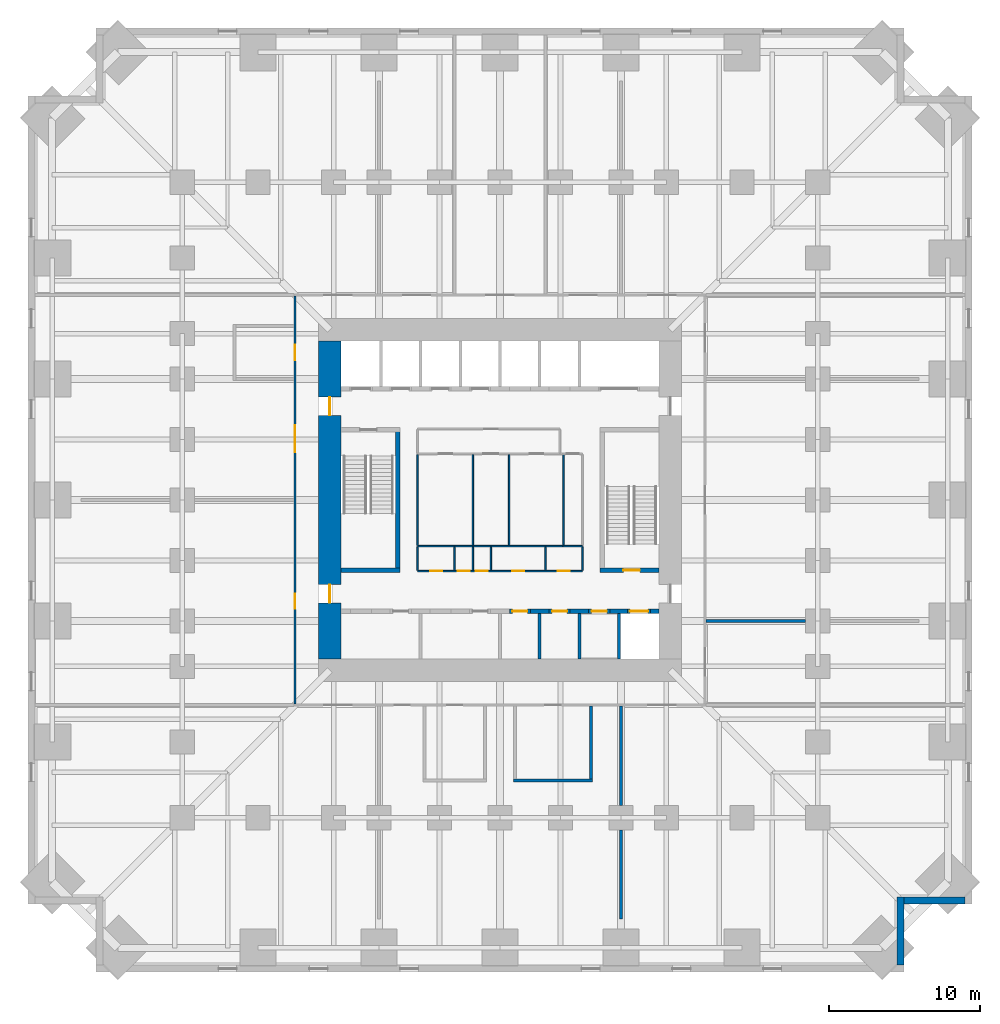
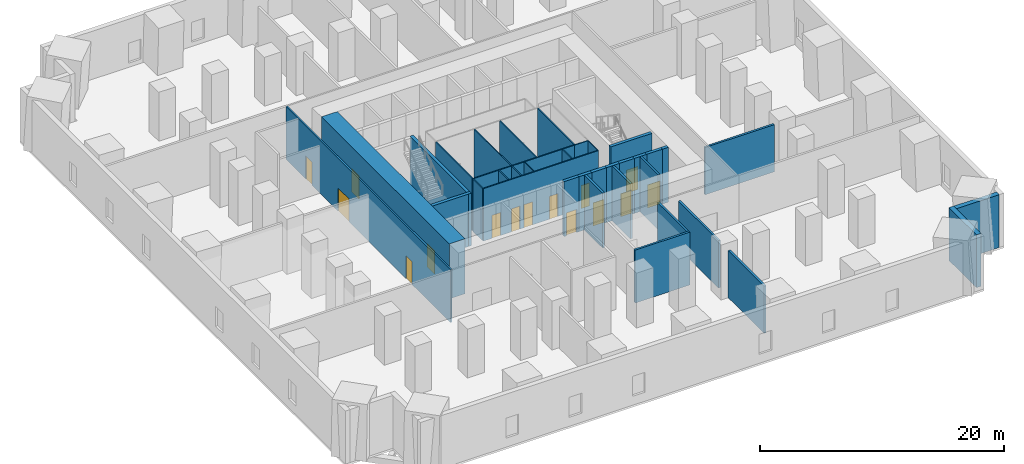
# One storey, part 4 of 8: 36 walls, 15 doors, 15 openings.
"""IFC4 building model written with IfcOpenShell, lengths in metres."""

import ifcopenshell
import ifcopenshell.guid

model = None  # the IFC model being written
_history = None  # IfcOwnerHistory: only IFC2X3 demands one
_inside = {}  # id of a spatial element -> (the spatial element, [elements in it])
_under = {}  # id of a project, library or spatial element -> (it, [spatial elements below it])
_declared = {}  # id of a project -> (the project, [libraries it declares])
_typed = {}  # id of a type object -> (the type object, [elements of that type])
_made_of = {}  # id of a material, layer set ... -> (it, [elements and type objects made of it])


def new_model(schema):
    """Start an empty IFC model of exactly this schema.

    Asked for "IFC4X3", IfcOpenShell would pick the latest addendum, in which some entities
    have other attributes; the version numbers below select the first issue.
    IFC2X3 requires an IfcOwnerHistory on every rooted entity: one is made here for all.
    """
    global model, _history
    if schema == "IFC4X3":
        model = ifcopenshell.file(schema_version=(4, 3, 0, 0))
    else:
        model = ifcopenshell.file(schema=schema)
    _inside.clear()
    _under.clear()
    _declared.clear()
    _typed.clear()
    _made_of.clear()
    _history = None
    if model.schema == "IFC2X3":
        org = make("IfcOrganization", Name="unknown")
        user = make(
            "IfcPersonAndOrganization",
            ThePerson=make("IfcPerson", FamilyName="unknown"),
            TheOrganization=org,
        )
        app = make(
            "IfcApplication",
            ApplicationDeveloper=org,
            Version="unknown",
            ApplicationFullName="unknown",
            ApplicationIdentifier="unknown",
        )
        _history = make(
            "IfcOwnerHistory",
            OwningUser=user,
            OwningApplication=app,
            ChangeAction="ADDED",
            CreationDate=0,
        )
    return model


def make(cls, **values):
    """One entity of the class cls with the attributes given. An attribute that is None is left unset."""
    return model.create_entity(
        cls, **{name: value for name, value in values.items() if value is not None}
    )


def rooted(cls, **values):
    """An entity with a GlobalId (a new one), such as an element, a storey or a relation."""
    return make(cls, GlobalId=ifcopenshell.guid.new(), OwnerHistory=_history, **values)


def si_unit(unit_type, name, prefix=None):
    """IfcSIUnit, for example si_unit("LENGTHUNIT", "METRE", prefix="MILLI")."""
    return make("IfcSIUnit", UnitType=unit_type, Prefix=prefix, Name=name)


def assignment(units):
    """IfcUnitAssignment: the units of a project."""
    return None if units is None else make("IfcUnitAssignment", Units=units)


def point(xyz):
    """IfcCartesianPoint."""
    return None if xyz is None else make("IfcCartesianPoint", Coordinates=xyz)


def direction(xyz):
    """IfcDirection."""
    return None if xyz is None else make("IfcDirection", DirectionRatios=xyz)


def frame(location, z_axis=None, x_axis=None):
    """IfcAxis2Placement3D, a coordinate frame: its origin and axes. An axis left out is left unset."""
    return make(
        "IfcAxis2Placement3D",
        Location=point(location),
        Axis=direction(z_axis),
        RefDirection=direction(x_axis),
    )


def frame_2d(location, x_axis=None):
    """IfcAxis2Placement2D, a coordinate frame in the plane: its origin and x axis."""
    return make(
        "IfcAxis2Placement2D", Location=point(location), RefDirection=direction(x_axis)
    )


def origin():
    """The frame at (0, 0, 0) with its axes left unset."""
    return frame((0.0, 0.0, 0.0))


def place(relative_to, where):
    """IfcLocalPlacement: puts the frame where relative to a parent placement (None: the world)."""
    return make(
        "IfcLocalPlacement", PlacementRelTo=relative_to, RelativePlacement=where
    )


def context(
    kind, dimensions, precision=None, world=None, true_north=None, identifier=None
):
    """IfcGeometricRepresentationContext, for example the 3D "Model" context."""
    return make(
        "IfcGeometricRepresentationContext",
        ContextIdentifier=identifier,
        ContextType=kind,
        CoordinateSpaceDimension=dimensions,
        Precision=precision,
        WorldCoordinateSystem=world,
        TrueNorth=true_north,
    )


def subcontext(parent, identifier, kind, view, scale=None):
    """IfcGeometricRepresentationSubContext, for example "Body" below "Model"."""
    return make(
        "IfcGeometricRepresentationSubContext",
        ContextIdentifier=identifier,
        ContextType=kind,
        ParentContext=parent,
        TargetScale=scale,
        TargetView=view,
    )


def project(units=None, contexts=None):
    """IfcProject with its units and contexts."""
    return rooted(
        "IfcProject",
        Name="project",
        RepresentationContexts=contexts,
        UnitsInContext=assignment(units),
    )


def spatial(cls, under=None, at=None, **own):
    """A site, building, storey or space (cls), placed at a placement, below another one or the project."""
    s = rooted(cls, ObjectPlacement=at, **own)
    if under is not None:
        _under.setdefault(under.id(), (under, []))[1].append(s)
    return s


def profile(cls, at=None, kind="AREA", **sizes):
    """A parametric profile (cls). Its sizes go by their IFC names, for example OverallWidth=200.0."""
    return make(cls, ProfileType=kind, Position=at, **sizes)


def rectangle(**sizes):
    """IfcRectangleProfileDef."""
    return profile("IfcRectangleProfileDef", **sizes)


def extrude(swept, where, along, depth):
    """IfcExtrudedAreaSolid: the profile swept, set in the frame where, extruded along a direction by depth."""
    return make(
        "IfcExtrudedAreaSolid",
        SweptArea=swept,
        Position=where,
        ExtrudedDirection=direction(along),
        Depth=depth,
    )


def shape(context_of_items, identifier, shape_type, items):
    """IfcShapeRepresentation: the items that make up one representation, for example the "Body"."""
    return make(
        "IfcShapeRepresentation",
        ContextOfItems=context_of_items,
        RepresentationIdentifier=identifier,
        RepresentationType=shape_type,
        Items=items,
    )


def material(Name=None, Category=None):
    """IfcMaterial."""
    return make("IfcMaterial", Name=Name, Category=Category)


def layer(
    of_material, thickness, ventilated=None, Name=None, Category=None, Priority=None
):
    """IfcMaterialLayer: one layer of a wall or slab, of a material (None: an air gap)."""
    return make(
        "IfcMaterialLayer",
        Material=of_material,
        LayerThickness=thickness,
        IsVentilated=ventilated,
        Name=Name,
        Category=Category,
        Priority=Priority,
    )


def layer_set(layers, Name=None):
    """IfcMaterialLayerSet."""
    return make("IfcMaterialLayerSet", MaterialLayers=layers, LayerSetName=Name)


def made_of(thing, what):
    """Note that an element or type object is made of a material, layer set ...; save() writes the relation."""
    if what is not None:
        _made_of.setdefault(what.id(), (what, []))[1].append(thing)
    return thing


def type_object(cls, material=None, **own):
    """A type object (cls), such as IfcWallType, which elements share."""
    return made_of(rooted(cls, **own), material)


def element(
    cls,
    number,
    at=None,
    inside=None,
    cuts=None,
    type_object=None,
    material=None,
    context=None,
    identifier="Body",
    shape_type=None,
    held_by="IfcProductDefinitionShape",
    body=None,
    shapes=None,
    **own,
):
    """One element of the class cls, such as IfcWall. Its Tag is "e" and its number.

    at: its placement. inside: the storey or other place that contains it. cuts: it is an
    opening in that element (IfcRelVoidsElement). A single representation is given by context,
    identifier, shape_type and body (its items); several are given by shapes. held_by: the class
    of the entity that holds the representations. save() writes the other relations.
    """
    e = rooted(cls, Tag="e%d" % number, ObjectPlacement=at, **own)
    if body is not None:
        shapes = [shape(context, identifier, shape_type, body)]
    if shapes is not None:
        e.Representation = make(held_by, Representations=shapes)
    if inside is not None:
        _inside.setdefault(inside.id(), (inside, []))[1].append(e)
    if cuts is not None:
        rooted(
            "IfcRelVoidsElement", RelatingBuildingElement=cuts, RelatedOpeningElement=e
        )
    if type_object is not None:
        _typed.setdefault(type_object.id(), (type_object, []))[1].append(e)
    return made_of(e, material)


def fill(opening, filler):
    """IfcRelFillsElement: the door or window that sits in an opening."""
    return rooted(
        "IfcRelFillsElement",
        RelatingOpeningElement=opening,
        RelatedBuildingElement=filler,
    )


def aggregate(whole, parts):
    """IfcRelAggregates: a whole, such as a stair, and the parts it consists of."""
    return rooted("IfcRelAggregates", RelatingObject=whole, RelatedObjects=parts)


def save(model, path):
    """Write the relations noted so far, then the file.

    IfcRelAggregates (storeys below a building ...), IfcRelContainedInSpatialStructure (elements
    in a storey), IfcRelDefinesByType, IfcRelAssociatesMaterial and IfcRelDeclares: one each for
    every whole, place, type object, material and project.
    """
    for whole, parts in _under.values():
        aggregate(whole, parts)
    for where, things in _inside.values():
        rooted(
            "IfcRelContainedInSpatialStructure",
            RelatedElements=things,
            RelatingStructure=where,
        )
    for kind, things in _typed.values():
        rooted("IfcRelDefinesByType", RelatedObjects=things, RelatingType=kind)
    for what, things in _made_of.values():
        rooted("IfcRelAssociatesMaterial", RelatedObjects=things, RelatingMaterial=what)
    for by, libraries in _declared.values():
        rooted("IfcRelDeclares", RelatingContext=by, RelatedDefinitions=libraries)
    model.write(path)


model = new_model("IFC4")

# Units and contexts
model_context = context("Model", 3, precision=1e-05, world=origin(), true_north=direction((0.0, 1.0)))
body_context = subcontext(model_context, "Body", "Model", "MODEL_VIEW")
ifc_project = project(units=[si_unit("LENGTHUNIT", "METRE"), si_unit("AREAUNIT", "SQUARE_METRE"), si_unit("VOLUMEUNIT", "CUBIC_METRE"), si_unit("PLANEANGLEUNIT", "RADIAN"), si_unit("MASSUNIT", "GRAM", prefix="KILO")], contexts=[model_context])

# Site, building, storey
site_placement = place(None, origin())
site = spatial("IfcSite", under=ifc_project, at=site_placement, CompositionType="ELEMENT")
building_placement = place(site_placement, origin())
building = spatial("IfcBuilding", under=site, at=building_placement, Name="Peilmerk Tower", CompositionType="ELEMENT")
storey_placement = place(building_placement, frame((0.0, 0.0, 32.0)))
storey = spatial("IfcBuildingStorey", under=building, at=storey_placement, Name="L06", CompositionType="ELEMENT", Elevation=32.0)

# Walls
ifc_material_1 = material(Name="Precast concrete C45/55, board-marked finish", Category="concrete")
ifc_layer_1 = layer(ifc_material_1, 0.449951171875)
ifc_layer_set_1 = layer_set([ifc_layer_1], Name="Precast concrete C45/55, board-marked finish")
wall_type_1 = type_object("IfcWallType", Name="EW1 450 precast concrete facade wall, board-marked", PredefinedType="SOLIDWALL", material=ifc_layer_set_1)
wall_1_placement = place(storey_placement, frame((26.47509765625, -26.25, 0.0), z_axis=(0.0, 0.0, 1.0), x_axis=(0.0, -1.0, 0.0)))
element("IfcWall", 1, at=wall_1_placement, inside=storey, type_object=wall_type_1, Name="Facade wall SEA L06", PredefinedType="SOLIDWALL", context=body_context, shape_type="SweptSolid", body=[
    extrude(rectangle(XDim=4.5, YDim=0.449951171875, at=frame_2d((2.25, 0.0))), origin(), (0.0, 0.0, 1.0), 5.300048828125),
])
wall_2_placement = place(storey_placement, frame((26.699951171875, -26.47509765625, 0.0), z_axis=(0.0, 0.0, 1.0), x_axis=(1.0, 0.0, 0.0)))
element("IfcWall", 2, at=wall_2_placement, inside=storey, type_object=wall_type_1, Name="Facade wall SEB L06", PredefinedType="SOLIDWALL", context=body_context, shape_type="SweptSolid", body=[
    extrude(rectangle(XDim=4.050048828125, YDim=0.449951171875, at=frame_2d((2.02490234375, 0.0))), origin(), (0.0, 0.0, 1.0), 5.300048828125),
])

# Wall, openings, doors
ifc_material_2 = material(Name="Calcium silicate block", Category="masonry")
ifc_layer_2 = layer(ifc_material_2, 0.14990234375)
ifc_layer_set_2 = layer_set([ifc_layer_2], Name="Calcium silicate block")
wall_type_2 = type_object("IfcWallType", Name="IW1 150 corridor partition, EI 60", PredefinedType="PARTITIONING", material=ifc_layer_set_2)
wall_3_placement = place(storey_placement, frame((-13.550048828125, 13.47509765625, 0.0), z_axis=(0.0, 0.0, 1.0), x_axis=(0.0, -1.0, 0.0)))
wall_3 = element("IfcWall", 3, at=wall_3_placement, inside=storey, type_object=wall_type_2, Name="Corridor wall W L06", PredefinedType="PARTITIONING", context=body_context, shape_type="SweptSolid", body=[
    extrude(rectangle(XDim=26.9501953125, YDim=0.14990234375, at=frame_2d((13.47509765625, 0.0))), origin(), (0.0, 0.0, 1.0), 5.300048828125),
])
opening_1_placement = place(wall_3_placement, frame((19.675048828125, 0.0, 0.0)))
opening_1 = element("IfcOpeningElement", 4, at=opening_1_placement, cuts=wall_3, Name="Opening D1", PredefinedType="OPENING", context=body_context, shape_type="SweptSolid", body=[
    extrude(rectangle(XDim=1.0, YDim=2.300048828125, at=frame_2d((0.5, 1.14990234375))), frame((0.0, 0.0849609375, 0.0), z_axis=(0.0, -1.0, 0.0), x_axis=(1.0, 0.0, 0.0)), (0.0, 0.0, 1.0), 0.169921875),
])
opening_2_placement = place(wall_3_placement, frame((8.52490234375, 0.0, 0.0)))
opening_2 = element("IfcOpeningElement", 5, at=opening_2_placement, cuts=wall_3, Name="Opening D2", PredefinedType="OPENING", context=body_context, shape_type="SweptSolid", body=[
    extrude(rectangle(XDim=1.800048828125, YDim=2.300048828125, at=frame_2d((0.89990234375, 1.14990234375))), frame((0.0, 0.0849609375, 0.0), z_axis=(0.0, -1.0, 0.0), x_axis=(1.0, 0.0, 0.0)), (0.0, 0.0, 1.0), 0.169921875),
])
opening_3_placement = place(wall_3_placement, frame((3.22509765625, 0.0, 0.0)))
opening_3 = element("IfcOpeningElement", 6, at=opening_3_placement, cuts=wall_3, Name="Opening D1", PredefinedType="OPENING", context=body_context, shape_type="SweptSolid", body=[
    extrude(rectangle(XDim=1.0, YDim=2.300048828125, at=frame_2d((0.5, 1.14990234375))), frame((0.0, 0.0849609375, 0.0), z_axis=(0.0, -1.0, 0.0), x_axis=(1.0, 0.0, 0.0)), (0.0, 0.0, 1.0), 0.169921875),
])
ifc_material_3 = material(Name="Timber door in steel frame", Category="steel")
door_type_1 = type_object("IfcDoorType", Name="D1 1000x2300 room door, EI2 30", OperationType="SINGLE_SWING_LEFT", PredefinedType="DOOR", material=ifc_material_3)
door_1_placement = place(opening_1_placement, frame((1.0, 0.0, 0.0), z_axis=(0.0, 0.0, 1.0), x_axis=(-1.0, 0.0, 0.0)))
door_1 = element("IfcDoor", 7, at=door_1_placement, inside=storey, type_object=door_type_1, Name="Door LV switchboard room L06", OperationType="SINGLE_SWING_LEFT", OverallHeight=2.300048828125, OverallWidth=1.0, PredefinedType="DOOR", context=body_context, shape_type="SweptSolid", body=[
    extrude(rectangle(XDim=1.0, YDim=2.300048828125, at=frame_2d((0.5, 1.14990234375))), frame((0.0, 0.02490234375, 0.0), z_axis=(0.0, -1.0, 0.0), x_axis=(1.0, 0.0, 0.0)), (0.0, 0.0, 1.0), 0.050048828125),
])
fill(opening_1, door_1)
door_2_placement = place(opening_3_placement, frame((1.0, 0.0, 0.0), z_axis=(0.0, 0.0, 1.0), x_axis=(-1.0, 0.0, 0.0)))
door_2 = element("IfcDoor", 8, at=door_2_placement, inside=storey, type_object=door_type_1, Name="Door Store L06", OperationType="SINGLE_SWING_LEFT", OverallHeight=2.300048828125, OverallWidth=1.0, PredefinedType="DOOR", context=body_context, shape_type="SweptSolid", body=[
    extrude(rectangle(XDim=1.0, YDim=2.300048828125, at=frame_2d((0.5, 1.14990234375))), frame((0.0, 0.02490234375, 0.0), z_axis=(0.0, -1.0, 0.0), x_axis=(1.0, 0.0, 0.0)), (0.0, 0.0, 1.0), 0.050048828125),
])
fill(opening_3, door_2)
ifc_material_4 = material(Name="Steel door in steel frame", Category="steel")
door_type_2 = type_object("IfcDoorType", Name="D2 1800x2300 double door, EI2 60", OperationType="DOUBLE_DOOR_DOUBLE_SWING", PredefinedType="DOOR", material=ifc_material_4)
door_3_placement = place(opening_2_placement, frame((1.800048828125, 0.0, 0.0), z_axis=(0.0, 0.0, 1.0), x_axis=(-1.0, 0.0, 0.0)))
door_3 = element("IfcDoor", 9, at=door_3_placement, inside=storey, type_object=door_type_2, Name="Door Transformer room L06", OperationType="DOUBLE_DOOR_DOUBLE_SWING", OverallHeight=2.300048828125, OverallWidth=1.800048828125, PredefinedType="DOOR", context=body_context, shape_type="SweptSolid", body=[
    extrude(rectangle(XDim=1.800048828125, YDim=2.300048828125, at=frame_2d((0.89990234375, 1.14990234375))), frame((0.0, 0.02490234375, 0.0), z_axis=(0.0, -1.0, 0.0), x_axis=(1.0, 0.0, 0.0)), (0.0, 0.0, 1.0), 0.050048828125),
])
fill(opening_2, door_3)

# Walls
ifc_layer_3 = layer(ifc_material_2, 0.199951171875)
ifc_layer_set_3 = layer_set([ifc_layer_3], Name="Calcium silicate block")
wall_type_3 = type_object("IfcWallType", Name="IW2 200 room separating wall, EI 120", PredefinedType="PARTITIONING", material=ifc_layer_set_3)
wall_4_placement = place(storey_placement, frame((8.0, -13.625, 0.0), z_axis=(0.0, 0.0, 1.0), x_axis=(0.0, -1.0, 0.0)))
element("IfcWall", 10, at=wall_4_placement, inside=storey, type_object=wall_type_3, Name="Room separating wall S2 L06", PredefinedType="PARTITIONING", context=body_context, shape_type="SweptSolid", body=[
    extrude(rectangle(XDim=6.574951171875, YDim=0.199951171875, at=frame_2d((3.28759765625, 0.0))), origin(), (0.0, 0.0, 1.0), 4.73095703125),
])
wall_5_placement = place(storey_placement, frame((8.0, -21.800048828125, 0.0), z_axis=(0.0, 0.0, 1.0), x_axis=(0.0, -1.0, 0.0)))
element("IfcWall", 11, at=wall_5_placement, inside=storey, type_object=wall_type_3, Name="Room separating wall S2b L06", PredefinedType="PARTITIONING", context=body_context, shape_type="SweptSolid", body=[
    extrude(rectangle(XDim=5.887451171875, YDim=0.199951171875, at=frame_2d((2.94384765625, 0.0))), origin(), (0.0, 0.0, 1.0), 4.73095703125),
])
wall_6_placement = place(storey_placement, frame((13.625, -8.0, 0.0), z_axis=(0.0, 0.0, 1.0), x_axis=(1.0, 0.0, 0.0)))
element("IfcWall", 12, at=wall_6_placement, inside=storey, type_object=wall_type_3, Name="Room separating wall E1 L06", PredefinedType="PARTITIONING", context=body_context, shape_type="SweptSolid", body=[
    extrude(rectangle(XDim=6.574951171875, YDim=0.199951171875, at=frame_2d((3.28759765625, 0.0))), origin(), (0.0, 0.0, 1.0), 4.73095703125),
])
wall_7_placement = place(storey_placement, frame((0.89990234375, -18.550048828125, 0.0), z_axis=(0.0, 0.0, 1.0), x_axis=(1.0, 0.0, 0.0)))
element("IfcWall", 13, at=wall_7_placement, inside=storey, type_object=wall_type_3, Name="Room separating wall Operations office L06", PredefinedType="PARTITIONING", context=body_context, shape_type="SweptSolid", body=[
    extrude(rectangle(XDim=5.2001953125, YDim=0.199951171875, at=frame_2d((2.60009765625, 0.0))), origin(), (0.0, 0.0, 1.0), 5.300048828125),
])
wall_8_placement = place(storey_placement, frame((6.0, -13.625, 0.0), z_axis=(0.0, 0.0, 1.0), x_axis=(0.0, -1.0, 0.0)))
element("IfcWall", 14, at=wall_8_placement, inside=storey, type_object=wall_type_3, Name="Room separating wall Operations office L06", PredefinedType="PARTITIONING", context=body_context, shape_type="SweptSolid", body=[
    extrude(rectangle(XDim=4.824951171875, YDim=0.199951171875, at=frame_2d((2.41259765625, 0.0))), origin(), (0.0, 0.0, 1.0), 5.300048828125),
])
ifc_material_5 = material(Name="Concrete C35/45", Category="concrete")
ifc_layer_4 = layer(ifc_material_5, 0.300048828125)
ifc_layer_set_4 = layer_set([ifc_layer_4], Name="Concrete C35/45")
wall_type_4 = type_object("IfcWallType", Name="IW3 300 concrete stair enclosure wall, EI 120", PredefinedType="SOLIDWALL", material=ifc_layer_set_4)
wall_9_placement = place(storey_placement, frame((-6.75, -4.800048828125, 0.0), z_axis=(0.0, 0.0, 1.0), x_axis=(0.0, 1.0, 0.0)))
element("IfcWall", 15, at=wall_9_placement, inside=storey, type_object=wall_type_4, Name="Stair 1 enclosure L06", PredefinedType="SOLIDWALL", context=body_context, shape_type="SweptSolid", body=[
    extrude(rectangle(XDim=9.60009765625, YDim=0.300048828125, at=frame_2d((4.800048828125, 0.0))), origin(), (0.0, 0.0, 1.0), 5.25),
])
wall_10_placement = place(storey_placement, frame((-6.60009765625, -4.64990234375, 0.0), z_axis=(0.0, 0.0, 1.0), x_axis=(-1.0, 0.0, 0.0)))
element("IfcWall", 16, at=wall_10_placement, inside=storey, type_object=wall_type_4, Name="Stair 1 enclosure L06", PredefinedType="SOLIDWALL", context=body_context, shape_type="SweptSolid", body=[
    extrude(rectangle(XDim=3.89990234375, YDim=0.300048828125, at=frame_2d((1.949951171875, 0.0))), origin(), (0.0, 0.0, 1.0), 5.25),
])

# Wall, opening, door
wall_11_placement = place(storey_placement, frame((10.5, -4.64990234375, 0.0), z_axis=(0.0, 0.0, 1.0), x_axis=(-1.0, 0.0, 0.0)))
wall_11 = element("IfcWall", 17, at=wall_11_placement, inside=storey, type_object=wall_type_4, Name="Stair 2 enclosure L06", PredefinedType="SOLIDWALL", context=body_context, shape_type="SweptSolid", body=[
    extrude(rectangle(XDim=3.89990234375, YDim=0.300048828125, at=frame_2d((1.949951171875, 0.0))), origin(), (0.0, 0.0, 1.0), 5.25),
])
opening_4_placement = place(wall_11_placement, frame((1.25, 0.0, 0.0)))
opening_4 = element("IfcOpeningElement", 18, at=opening_4_placement, cuts=wall_11, Name="Opening D4", PredefinedType="OPENING", context=body_context, shape_type="SweptSolid", body=[
    extrude(rectangle(XDim=1.10009765625, YDim=2.300048828125, at=frame_2d((0.550048828125, 1.14990234375))), frame((0.0, 0.159912109375, 0.0), z_axis=(0.0, -1.0, 0.0), x_axis=(1.0, 0.0, 0.0)), (0.0, 0.0, 1.0), 0.320068359375),
])
door_type_3 = type_object("IfcDoorType", Name="D4 1100x2300 stair door, EI2 60", OperationType="SINGLE_SWING_RIGHT", PredefinedType="DOOR", material=ifc_material_4)
door_4_placement = place(opening_4_placement, frame((1.10009765625, 0.0, 0.0), z_axis=(0.0, 0.0, 1.0), x_axis=(-1.0, 0.0, 0.0)))
door_4 = element("IfcDoor", 19, at=door_4_placement, inside=storey, type_object=door_type_3, Name="Stair 2 door L06", OperationType="SINGLE_SWING_RIGHT", OverallHeight=2.300048828125, OverallWidth=1.10009765625, PredefinedType="DOOR", context=body_context, shape_type="SweptSolid", body=[
    extrude(rectangle(XDim=1.10009765625, YDim=2.300048828125, at=frame_2d((0.550048828125, 1.14990234375))), frame((0.0, 0.02490234375, 0.0), z_axis=(0.0, -1.0, 0.0), x_axis=(1.0, 0.0, 0.0)), (0.0, 0.0, 1.0), 0.050048828125),
])
fill(opening_4, door_4)

# Walls
ifc_material_6 = material(Name="Plasterboard on steel studs", Category="steel")
ifc_layer_5 = layer(ifc_material_6, 0.10009765625)
ifc_layer_set_5 = layer_set([ifc_layer_5], Name="Plasterboard on steel studs")
wall_type_5 = type_object("IfcWallType", Name="IW4 100 WC partition", PredefinedType="PARTITIONING", material=ifc_layer_set_5)
wall_12_placement = place(storey_placement, frame((4.14990234375, -3.050048828125, 0.0), z_axis=(0.0, 0.0, 1.0), x_axis=(-1.0, 0.0, 0.0)))
element("IfcWall", 20, at=wall_12_placement, inside=storey, type_object=wall_type_5, Name="WC wall L06", PredefinedType="PARTITIONING", context=body_context, shape_type="SweptSolid", body=[
    extrude(rectangle(XDim=9.599853515625, YDim=0.10009765625, at=frame_2d((4.7998046875, 0.0))), origin(), (0.0, 0.0, 1.0), 5.25),
])
for number, where, z_axis, x_axis, name in (
    (21, (-5.449951171875, -3.0, 0.0), (0.0, 0.0, 1.0), (0.0, 1.0, 0.0), "WC wall L06"),
    (22, (-1.800048828125, -3.0, 0.0), (0.0, 0.0, 1.0), (0.0, 1.0, 0.0), "WC wall L06"),
    (23, (0.60009765625, -3.0, 0.0), (0.0, 0.0, 1.0), (0.0, 1.0, 0.0), "WC wall L06"),
):
    element("IfcWall", number, at=place(storey_placement, frame(where, z_axis=z_axis, x_axis=x_axis)), inside=storey, type_object=wall_type_5, Name=name, PredefinedType="PARTITIONING", context=body_context, shape_type="SweptSolid", body=[
        extrude(rectangle(XDim=6.0, YDim=0.10009765625, at=frame_2d((3.0, 0.0))), origin(), (0.0, 0.0, 1.0), 5.25),
    ])
ifc_material_7 = material(Name="Calcium silicate board on steel studs", Category="steel")
ifc_layer_6 = layer(ifc_material_7, 0.10009765625)
ifc_layer_set_6 = layer_set([ifc_layer_6], Name="Calcium silicate board on steel studs")
wall_type_6 = type_object("IfcWallType", Name="IW5 100 riser enclosure wall, EI 60", PredefinedType="PARTITIONING", material=ifc_layer_set_6)
wall_13_placement = place(storey_placement, frame((5.449951171875, -3.050048828125, 0.0), z_axis=(0.0, 0.0, 1.0), x_axis=(-1.0, 0.0, 0.0)))
element("IfcWall", 24, at=wall_13_placement, inside=storey, type_object=wall_type_6, Name="Riser wall L06", PredefinedType="PARTITIONING", context=body_context, shape_type="SweptSolid", body=[
    extrude(rectangle(XDim=1.300048828125, YDim=0.10009765625, at=frame_2d((0.64990234375, 0.0))), origin(), (0.0, 0.0, 1.0), 5.25),
])
wall_14_placement = place(storey_placement, frame((4.199951171875, -3.0, 0.0), z_axis=(0.0, 0.0, 1.0), x_axis=(0.0, 1.0, 0.0)))
element("IfcWall", 25, at=wall_14_placement, inside=storey, type_object=wall_type_6, Name="Riser wall L06", PredefinedType="PARTITIONING", context=body_context, shape_type="SweptSolid", body=[
    extrude(rectangle(XDim=6.0, YDim=0.10009765625, at=frame_2d((3.0, 0.0))), origin(), (0.0, 0.0, 1.0), 5.25),
])

# Wall, openings, doors
wall_15_placement = place(storey_placement, frame((5.449951171875, -4.699951171875, 0.0), z_axis=(0.0, 0.0, 1.0), x_axis=(-1.0, 0.0, 0.0)))
wall_15 = element("IfcWall", 26, at=wall_15_placement, inside=storey, type_object=wall_type_6, Name="Riser wall L06", PredefinedType="PARTITIONING", context=body_context, shape_type="SweptSolid", body=[
    extrude(rectangle(XDim=10.89990234375, YDim=0.10009765625, at=frame_2d((5.449951171875, 0.0))), origin(), (0.0, 0.0, 1.0), 5.25),
])
opening_5_placement = place(wall_15_placement, frame((9.27490234375, 0.0, 0.0)))
opening_5 = element("IfcOpeningElement", 27, at=opening_5_placement, cuts=wall_15, Name="Opening D7", PredefinedType="OPENING", context=body_context, shape_type="SweptSolid", body=[
    extrude(rectangle(XDim=0.800048828125, YDim=2.300048828125, at=frame_2d((0.39990234375, 1.14990234375))), frame((0.0, 0.06005859375, 0.0), z_axis=(0.0, -1.0, 0.0), x_axis=(1.0, 0.0, 0.0)), (0.0, 0.0, 1.0), 0.1201171875),
])
opening_6_placement = place(wall_15_placement, frame((7.449951171875, 0.0, 0.0)))
opening_6 = element("IfcOpeningElement", 28, at=opening_6_placement, cuts=wall_15, Name="Opening D7", PredefinedType="OPENING", context=body_context, shape_type="SweptSolid", body=[
    extrude(rectangle(XDim=0.800048828125, YDim=2.300048828125, at=frame_2d((0.39990234375, 1.14990234375))), frame((0.0, 0.06005859375, 0.0), z_axis=(0.0, -1.0, 0.0), x_axis=(1.0, 0.0, 0.0)), (0.0, 0.0, 1.0), 0.1201171875),
])
opening_7_placement = place(wall_15_placement, frame((6.25, 0.0, 0.0)))
opening_7 = element("IfcOpeningElement", 29, at=opening_7_placement, cuts=wall_15, Name="Opening D7", PredefinedType="OPENING", context=body_context, shape_type="SweptSolid", body=[
    extrude(rectangle(XDim=0.800048828125, YDim=2.300048828125, at=frame_2d((0.39990234375, 1.14990234375))), frame((0.0, 0.06005859375, 0.0), z_axis=(0.0, -1.0, 0.0), x_axis=(1.0, 0.0, 0.0)), (0.0, 0.0, 1.0), 0.1201171875),
])
opening_8_placement = place(wall_15_placement, frame((3.85009765625, 0.0, 0.0)))
opening_8 = element("IfcOpeningElement", 30, at=opening_8_placement, cuts=wall_15, Name="Opening D7", PredefinedType="OPENING", context=body_context, shape_type="SweptSolid", body=[
    extrude(rectangle(XDim=0.800048828125, YDim=2.300048828125, at=frame_2d((0.39990234375, 1.14990234375))), frame((0.0, 0.06005859375, 0.0), z_axis=(0.0, -1.0, 0.0), x_axis=(1.0, 0.0, 0.0)), (0.0, 0.0, 1.0), 0.1201171875),
])
opening_9_placement = place(wall_15_placement, frame((0.824951171875, 0.0, 0.0)))
opening_9 = element("IfcOpeningElement", 31, at=opening_9_placement, cuts=wall_15, Name="Opening D7", PredefinedType="OPENING", context=body_context, shape_type="SweptSolid", body=[
    extrude(rectangle(XDim=0.800048828125, YDim=2.300048828125, at=frame_2d((0.39990234375, 1.14990234375))), frame((0.0, 0.06005859375, 0.0), z_axis=(0.0, -1.0, 0.0), x_axis=(1.0, 0.0, 0.0)), (0.0, 0.0, 1.0), 0.1201171875),
])
door_type_4 = type_object("IfcDoorType", Name="D7 800x2300 riser access door, EI2 60", OperationType="SINGLE_SWING_RIGHT", PredefinedType="DOOR", material=ifc_material_4)
door_5_placement = place(opening_5_placement, frame((0.800048828125, 0.0, 0.0), z_axis=(0.0, 0.0, 1.0), x_axis=(-1.0, 0.0, 0.0)))
door_5 = element("IfcDoor", 32, at=door_5_placement, inside=storey, type_object=door_type_4, Name="Cleaner's cupboard door L06", OperationType="SINGLE_SWING_RIGHT", OverallHeight=2.300048828125, OverallWidth=0.800048828125, PredefinedType="DOOR", context=body_context, shape_type="SweptSolid", body=[
    extrude(rectangle(XDim=0.800048828125, YDim=2.300048828125, at=frame_2d((0.39990234375, 1.14990234375))), frame((0.0, 0.02490234375, 0.0), z_axis=(0.0, -1.0, 0.0), x_axis=(1.0, 0.0, 0.0)), (0.0, 0.0, 1.0), 0.050048828125),
])
fill(opening_5, door_5)
door_6_placement = place(opening_6_placement, frame((0.800048828125, 0.0, 0.0), z_axis=(0.0, 0.0, 1.0), x_axis=(-1.0, 0.0, 0.0)))
door_6 = element("IfcDoor", 33, at=door_6_placement, inside=storey, type_object=door_type_4, Name="Electrical riser door L06", OperationType="SINGLE_SWING_RIGHT", OverallHeight=2.300048828125, OverallWidth=0.800048828125, PredefinedType="DOOR", context=body_context, shape_type="SweptSolid", body=[
    extrude(rectangle(XDim=0.800048828125, YDim=2.300048828125, at=frame_2d((0.39990234375, 1.14990234375))), frame((0.0, 0.02490234375, 0.0), z_axis=(0.0, -1.0, 0.0), x_axis=(1.0, 0.0, 0.0)), (0.0, 0.0, 1.0), 0.050048828125),
])
fill(opening_6, door_6)
door_7_placement = place(opening_7_placement, frame((0.800048828125, 0.0, 0.0), z_axis=(0.0, 0.0, 1.0), x_axis=(-1.0, 0.0, 0.0)))
door_7 = element("IfcDoor", 34, at=door_7_placement, inside=storey, type_object=door_type_4, Name="Data riser door L06", OperationType="SINGLE_SWING_RIGHT", OverallHeight=2.300048828125, OverallWidth=0.800048828125, PredefinedType="DOOR", context=body_context, shape_type="SweptSolid", body=[
    extrude(rectangle(XDim=0.800048828125, YDim=2.300048828125, at=frame_2d((0.39990234375, 1.14990234375))), frame((0.0, 0.02490234375, 0.0), z_axis=(0.0, -1.0, 0.0), x_axis=(1.0, 0.0, 0.0)), (0.0, 0.0, 1.0), 0.050048828125),
])
fill(opening_7, door_7)
door_8_placement = place(opening_8_placement, frame((0.800048828125, 0.0, 0.0), z_axis=(0.0, 0.0, 1.0), x_axis=(-1.0, 0.0, 0.0)))
door_8 = element("IfcDoor", 35, at=door_8_placement, inside=storey, type_object=door_type_4, Name="Comms room door L06", OperationType="SINGLE_SWING_RIGHT", OverallHeight=2.300048828125, OverallWidth=0.800048828125, PredefinedType="DOOR", context=body_context, shape_type="SweptSolid", body=[
    extrude(rectangle(XDim=0.800048828125, YDim=2.300048828125, at=frame_2d((0.39990234375, 1.14990234375))), frame((0.0, 0.02490234375, 0.0), z_axis=(0.0, -1.0, 0.0), x_axis=(1.0, 0.0, 0.0)), (0.0, 0.0, 1.0), 0.050048828125),
])
fill(opening_8, door_8)
door_9_placement = place(opening_9_placement, frame((0.800048828125, 0.0, 0.0), z_axis=(0.0, 0.0, 1.0), x_axis=(-1.0, 0.0, 0.0)))
door_9 = element("IfcDoor", 36, at=door_9_placement, inside=storey, type_object=door_type_4, Name="Water meter room door L06", OperationType="SINGLE_SWING_RIGHT", OverallHeight=2.300048828125, OverallWidth=0.800048828125, PredefinedType="DOOR", context=body_context, shape_type="SweptSolid", body=[
    extrude(rectangle(XDim=0.800048828125, YDim=2.300048828125, at=frame_2d((0.39990234375, 1.14990234375))), frame((0.0, 0.02490234375, 0.0), z_axis=(0.0, -1.0, 0.0), x_axis=(1.0, 0.0, 0.0)), (0.0, 0.0, 1.0), 0.050048828125),
])
fill(opening_9, door_9)

# Walls
for number, where, z_axis, x_axis, name in (
    (37, (-5.449951171875, -3.10009765625, 0.0), (0.0, 0.0, 1.0), (0.0, -1.0, 0.0), "Riser wall L06"),
    (38, (5.449951171875, -3.10009765625, 0.0), (0.0, 0.0, 1.0), (0.0, -1.0, 0.0), "Riser wall L06"),
    (39, (-3.0, -3.10009765625, 0.0), (0.0, 0.0, 1.0), (0.0, -1.0, 0.0), "Riser wall L06"),
    (40, (-1.800048828125, -3.10009765625, 0.0), (0.0, 0.0, 1.0), (0.0, -1.0, 0.0), "Riser wall L06"),
    (41, (-0.60009765625, -3.10009765625, 0.0), (0.0, 0.0, 1.0), (0.0, -1.0, 0.0), "Riser wall L06"),
    (42, (3.0, -3.10009765625, 0.0), (0.0, 0.0, 1.0), (0.0, -1.0, 0.0), "Riser wall L06"),
):
    element("IfcWall", number, at=place(storey_placement, frame(where, z_axis=z_axis, x_axis=x_axis)), inside=storey, type_object=wall_type_6, Name=name, PredefinedType="PARTITIONING", context=body_context, shape_type="SweptSolid", body=[
        extrude(rectangle(XDim=1.5498046875, YDim=0.10009765625, at=frame_2d((0.77490234375, 0.0))), origin(), (0.0, 0.0, 1.0), 5.25),
    ])
ifc_layer_7 = layer(ifc_material_2, 0.199951171875)
ifc_layer_set_7 = layer_set([ifc_layer_7], Name="Calcium silicate block")
wall_type_7 = type_object("IfcWallType", Name="SH1 200 shaft dividing wall, EI 120", PredefinedType="PARTITIONING", material=ifc_layer_set_7)
for number, where, z_axis, x_axis, name in (
    (43, (2.625, -10.5, 0.0), (0.0, 0.0, 1.0), (0.0, 1.0, 0.0), "Shaft wall S B3 L06"),
    (44, (5.25, -10.5, 0.0), (0.0, 0.0, 1.0), (0.0, 1.0, 0.0), "Shaft wall S B2 L06"),
    (45, (7.875, -10.5, 0.0), (0.0, 0.0, 1.0), (0.0, 1.0, 0.0), "Shaft wall S B1 L06"),
):
    element("IfcWall", number, at=place(storey_placement, frame(where, z_axis=z_axis, x_axis=x_axis)), inside=storey, type_object=wall_type_7, Name=name, PredefinedType="PARTITIONING", context=body_context, shape_type="SweptSolid", body=[
        extrude(rectangle(XDim=3.0, YDim=0.199951171875, at=frame_2d((1.5, 0.0))), origin(), (0.0, 0.0, 1.0), 5.5),
    ])

# Wall, opening, door
ifc_layer_8 = layer(ifc_material_2, 0.300048828125)
ifc_layer_set_8 = layer_set([ifc_layer_8], Name="Calcium silicate block")
wall_type_8 = type_object("IfcWallType", Name="SH2 300 lift landing door panel, EI 120", PredefinedType="PARTITIONING", material=ifc_layer_set_8)
wall_16_placement = place(storey_placement, frame((0.612548828125, -7.35009765625, 0.0), z_axis=(0.0, 0.0, 1.0), x_axis=(1.0, 0.0, 0.0)))
wall_16 = element("IfcWall", 46, at=wall_16_placement, inside=storey, type_object=wall_type_8, Name="Lift door panel S B3 L06", PredefinedType="PARTITIONING", context=body_context, shape_type="SweptSolid", body=[
    extrude(rectangle(XDim=1.39990234375, YDim=0.300048828125, at=frame_2d((0.699951171875, 0.0))), origin(), (0.0, 0.0, 1.0), 5.5),
])
opening_10_placement = place(wall_16_placement, frame((0.199951171875, 0.0, 0.0)))
opening_10 = element("IfcOpeningElement", 47, at=opening_10_placement, cuts=wall_16, Name="Opening D10", PredefinedType="OPENING", context=body_context, shape_type="SweptSolid", body=[
    extrude(rectangle(XDim=1.0, YDim=2.300048828125, at=frame_2d((0.5, 1.14990234375))), frame((0.0, 0.159912109375, 0.0), z_axis=(0.0, -1.0, 0.0), x_axis=(1.0, 0.0, 0.0)), (0.0, 0.0, 1.0), 0.320068359375),
])
door_type_5 = type_object("IfcDoorType", Name="D10 1000x2300 core room door, EI2 60", OperationType="SINGLE_SWING_RIGHT", PredefinedType="DOOR", material=ifc_material_4)
door_10_placement = place(opening_10_placement, frame((1.0, 0.0, 0.0), z_axis=(0.0, 0.0, 1.0), x_axis=(-1.0, 0.0, 0.0)))
door_10 = element("IfcDoor", 48, at=door_10_placement, inside=storey, type_object=door_type_5, Name="Door Electrical room L06", OperationType="SINGLE_SWING_RIGHT", OverallHeight=2.300048828125, OverallWidth=1.0, PredefinedType="DOOR", context=body_context, shape_type="SweptSolid", body=[
    extrude(rectangle(XDim=1.0, YDim=2.300048828125, at=frame_2d((0.5, 1.14990234375))), frame((0.0, 0.02490234375, 0.0), z_axis=(0.0, -1.0, 0.0), x_axis=(1.0, 0.0, 0.0)), (0.0, 0.0, 1.0), 0.050048828125),
])
fill(opening_10, door_10)

wall_17_placement = place(storey_placement, frame((3.237548828125, -7.35009765625, 0.0), z_axis=(0.0, 0.0, 1.0), x_axis=(1.0, 0.0, 0.0)))
wall_17 = element("IfcWall", 49, at=wall_17_placement, inside=storey, type_object=wall_type_8, Name="Lift door panel S B2 L06", PredefinedType="PARTITIONING", context=body_context, shape_type="SweptSolid", body=[
    extrude(rectangle(XDim=1.39990234375, YDim=0.300048828125, at=frame_2d((0.699951171875, 0.0))), origin(), (0.0, 0.0, 1.0), 5.5),
])
opening_11_placement = place(wall_17_placement, frame((0.199951171875, 0.0, 0.0)))
opening_11 = element("IfcOpeningElement", 50, at=opening_11_placement, cuts=wall_17, Name="Opening D10", PredefinedType="OPENING", context=body_context, shape_type="SweptSolid", body=[
    extrude(rectangle(XDim=1.0, YDim=2.300048828125, at=frame_2d((0.5, 1.14990234375))), frame((0.0, 0.159912109375, 0.0), z_axis=(0.0, -1.0, 0.0), x_axis=(1.0, 0.0, 0.0)), (0.0, 0.0, 1.0), 0.320068359375),
])
door_11_placement = place(opening_11_placement, frame((1.0, 0.0, 0.0), z_axis=(0.0, 0.0, 1.0), x_axis=(-1.0, 0.0, 0.0)))
door_11 = element("IfcDoor", 51, at=door_11_placement, inside=storey, type_object=door_type_5, Name="Door Staff WC L06", OperationType="SINGLE_SWING_RIGHT", OverallHeight=2.300048828125, OverallWidth=1.0, PredefinedType="DOOR", context=body_context, shape_type="SweptSolid", body=[
    extrude(rectangle(XDim=1.0, YDim=2.300048828125, at=frame_2d((0.5, 1.14990234375))), frame((0.0, 0.02490234375, 0.0), z_axis=(0.0, -1.0, 0.0), x_axis=(1.0, 0.0, 0.0)), (0.0, 0.0, 1.0), 0.050048828125),
])
fill(opening_11, door_11)

wall_18_placement = place(storey_placement, frame((5.862548828125, -7.35009765625, 0.0), z_axis=(0.0, 0.0, 1.0), x_axis=(1.0, 0.0, 0.0)))
wall_18 = element("IfcWall", 52, at=wall_18_placement, inside=storey, type_object=wall_type_8, Name="Lift door panel S B1 L06", PredefinedType="PARTITIONING", context=body_context, shape_type="SweptSolid", body=[
    extrude(rectangle(XDim=1.39990234375, YDim=0.300048828125, at=frame_2d((0.699951171875, 0.0))), origin(), (0.0, 0.0, 1.0), 5.5),
])
opening_12_placement = place(wall_18_placement, frame((0.199951171875, 0.0, 0.0)))
opening_12 = element("IfcOpeningElement", 53, at=opening_12_placement, cuts=wall_18, Name="Opening D10", PredefinedType="OPENING", context=body_context, shape_type="SweptSolid", body=[
    extrude(rectangle(XDim=1.0, YDim=2.300048828125, at=frame_2d((0.5, 1.14990234375))), frame((0.0, 0.159912109375, 0.0), z_axis=(0.0, -1.0, 0.0), x_axis=(1.0, 0.0, 0.0)), (0.0, 0.0, 1.0), 0.320068359375),
])
door_12_placement = place(opening_12_placement, frame((1.0, 0.0, 0.0), z_axis=(0.0, 0.0, 1.0), x_axis=(-1.0, 0.0, 0.0)))
door_12 = element("IfcDoor", 54, at=door_12_placement, inside=storey, type_object=door_type_5, Name="Door Pantry L06", OperationType="SINGLE_SWING_RIGHT", OverallHeight=2.300048828125, OverallWidth=1.0, PredefinedType="DOOR", context=body_context, shape_type="SweptSolid", body=[
    extrude(rectangle(XDim=1.0, YDim=2.300048828125, at=frame_2d((0.5, 1.14990234375))), frame((0.0, 0.02490234375, 0.0), z_axis=(0.0, -1.0, 0.0), x_axis=(1.0, 0.0, 0.0)), (0.0, 0.0, 1.0), 0.050048828125),
])
fill(opening_12, door_12)

wall_19_placement = place(storey_placement, frame((8.4375, -7.35009765625, 0.0), z_axis=(0.0, 0.0, 1.0), x_axis=(1.0, 0.0, 0.0)))
wall_19 = element("IfcWall", 55, at=wall_19_placement, inside=storey, type_object=wall_type_8, Name="Lift door panel S FL2 L06", PredefinedType="PARTITIONING", context=body_context, shape_type="SweptSolid", body=[
    extrude(rectangle(XDim=1.5, YDim=0.300048828125, at=frame_2d((0.75, 0.0))), origin(), (0.0, 0.0, 1.0), 5.5),
])
opening_13_placement = place(wall_19_placement, frame((0.14990234375, 0.0, 0.0)))
opening_13 = element("IfcOpeningElement", 56, at=opening_13_placement, cuts=wall_19, Name="Opening LD2", PredefinedType="OPENING", context=body_context, shape_type="SweptSolid", body=[
    extrude(rectangle(XDim=1.199951171875, YDim=2.300048828125, at=frame_2d((0.60009765625, 1.14990234375))), frame((0.0, 0.159912109375, 0.0), z_axis=(0.0, -1.0, 0.0), x_axis=(1.0, 0.0, 0.0)), (0.0, 0.0, 1.0), 0.320068359375),
])
ifc_material_8 = material(Name="Stainless steel landing door", Category="steel")
door_type_6 = type_object("IfcDoorType", Name="LD2 1200x2300 lift landing door, sliding, EI2 60", OperationType="SLIDING_TO_LEFT", PredefinedType="DOOR", material=ifc_material_8)
door_13_placement = place(opening_13_placement, origin())
door_13 = element("IfcDoor", 57, at=door_13_placement, inside=storey, type_object=door_type_6, Name="Lift landing door FL2 L06", OperationType="SLIDING_TO_LEFT", OverallHeight=2.300048828125, OverallWidth=1.199951171875, PredefinedType="DOOR", context=body_context, shape_type="SweptSolid", body=[
    extrude(rectangle(XDim=1.199951171875, YDim=2.300048828125, at=frame_2d((0.60009765625, 1.14990234375))), frame((0.0, 0.02490234375, 0.0), z_axis=(0.0, -1.0, 0.0), x_axis=(1.0, 0.0, 0.0)), (0.0, 0.0, 1.0), 0.050048828125),
])
fill(opening_13, door_13)

# Wall, openings, doors
ifc_material_9 = material(Name="Concrete C55/67", Category="concrete")
ifc_layer_9 = layer(ifc_material_9, 1.5)
ifc_layer_set_9 = layer_set([ifc_layer_9], Name="Concrete C55/67")
wall_type_9 = type_object("IfcWallType", Name="SW1 1500 core wall", PredefinedType="SHEAR", material=ifc_layer_set_9)
wall_20_placement = place(storey_placement, frame((-11.25, -10.5, 0.0), z_axis=(0.0, 0.0, 1.0), x_axis=(0.0, 1.0, 0.0)))
wall_20 = element("IfcWall", 58, at=wall_20_placement, inside=storey, type_object=wall_type_9, Name="Core wall W L06", PredefinedType="SHEAR", context=body_context, shape_type="SweptSolid", body=[
    extrude(rectangle(XDim=21.0, YDim=1.5, at=frame_2d((10.5, 0.0))), origin(), (0.0, 0.0, 1.0), 5.5),
])
opening_14_placement = place(wall_20_placement, frame((16.10009765625, 0.0, 0.0)))
opening_14 = element("IfcOpeningElement", 59, at=opening_14_placement, cuts=wall_20, Name="Opening D3", PredefinedType="OPENING", context=body_context, shape_type="SweptSolid", body=[
    extrude(rectangle(XDim=1.199951171875, YDim=2.300048828125, at=frame_2d((0.60009765625, 1.14990234375))), frame((0.0, 0.760009765625, 0.0), z_axis=(0.0, -1.0, 0.0), x_axis=(1.0, 0.0, 0.0)), (0.0, 0.0, 1.0), 1.52001953125),
])
opening_15_placement = place(wall_20_placement, frame((3.699951171875, 0.0, 0.0)))
opening_15 = element("IfcOpeningElement", 60, at=opening_15_placement, cuts=wall_20, Name="Opening D3", PredefinedType="OPENING", context=body_context, shape_type="SweptSolid", body=[
    extrude(rectangle(XDim=1.199951171875, YDim=2.300048828125, at=frame_2d((0.60009765625, 1.14990234375))), frame((0.0, 0.760009765625, 0.0), z_axis=(0.0, -1.0, 0.0), x_axis=(1.0, 0.0, 0.0)), (0.0, 0.0, 1.0), 1.52001953125),
])
door_type_7 = type_object("IfcDoorType", Name="D3 1200x2300 core door, EI2 60", OperationType="SINGLE_SWING_LEFT", PredefinedType="DOOR", material=ifc_material_4)
door_14_placement = place(opening_14_placement, frame((1.199951171875, 0.0, 0.0), z_axis=(0.0, 0.0, 1.0), x_axis=(-1.0, 0.0, 0.0)))
door_14 = element("IfcDoor", 61, at=door_14_placement, inside=storey, type_object=door_type_7, Name="Core door L06", OperationType="SINGLE_SWING_LEFT", OverallHeight=2.300048828125, OverallWidth=1.199951171875, PredefinedType="DOOR", context=body_context, shape_type="SweptSolid", body=[
    extrude(rectangle(XDim=1.199951171875, YDim=2.300048828125, at=frame_2d((0.60009765625, 1.14990234375))), frame((0.0, 0.02490234375, 0.0), z_axis=(0.0, -1.0, 0.0), x_axis=(1.0, 0.0, 0.0)), (0.0, 0.0, 1.0), 0.050048828125),
])
fill(opening_14, door_14)
door_15_placement = place(opening_15_placement, frame((1.199951171875, 0.0, 0.0), z_axis=(0.0, 0.0, 1.0), x_axis=(-1.0, 0.0, 0.0)))
door_15 = element("IfcDoor", 62, at=door_15_placement, inside=storey, type_object=door_type_7, Name="Core door L06", OperationType="SINGLE_SWING_LEFT", OverallHeight=2.300048828125, OverallWidth=1.199951171875, PredefinedType="DOOR", context=body_context, shape_type="SweptSolid", body=[
    extrude(rectangle(XDim=1.199951171875, YDim=2.300048828125, at=frame_2d((0.60009765625, 1.14990234375))), frame((0.0, 0.02490234375, 0.0), z_axis=(0.0, -1.0, 0.0), x_axis=(1.0, 0.0, 0.0)), (0.0, 0.0, 1.0), 0.050048828125),
])
fill(opening_15, door_15)

# Walls
ifc_layer_10 = layer(ifc_material_9, 0.300048828125)
ifc_layer_set_10 = layer_set([ifc_layer_10], Name="Concrete C55/67")
wall_type_10 = type_object("IfcWallType", Name="SW2 300 lift bank pier", PredefinedType="SHEAR", material=ifc_layer_set_10)
for number, where, z_axis, x_axis, name in (
    (63, (2.012451171875, -7.35009765625, 0.0), (0.0, 0.0, 1.0), (1.0, 0.0, 0.0), "Lift bank pier S L06"),
    (64, (4.637451171875, -7.35009765625, 0.0), (0.0, 0.0, 1.0), (1.0, 0.0, 0.0), "Lift bank pier S L06"),
):
    element("IfcWall", number, at=place(storey_placement, frame(where, z_axis=z_axis, x_axis=x_axis)), inside=storey, type_object=wall_type_10, Name=name, PredefinedType="SHEAR", context=body_context, shape_type="SweptSolid", body=[
        extrude(rectangle(XDim=1.22509765625, YDim=0.300048828125, at=frame_2d((0.612548828125, 0.0))), origin(), (0.0, 0.0, 1.0), 5.5),
    ])
wall_21_placement = place(storey_placement, frame((7.262451171875, -7.35009765625, 0.0), z_axis=(0.0, 0.0, 1.0), x_axis=(1.0, 0.0, 0.0)))
element("IfcWall", 65, at=wall_21_placement, inside=storey, type_object=wall_type_10, Name="Lift bank pier S L06", PredefinedType="SHEAR", context=body_context, shape_type="SweptSolid", body=[
    extrude(rectangle(XDim=1.175048828125, YDim=0.300048828125, at=frame_2d((0.58740234375, 0.0))), origin(), (0.0, 0.0, 1.0), 5.5),
])
wall_22_placement = place(storey_placement, frame((9.9375, -7.35009765625, 0.0), z_axis=(0.0, 0.0, 1.0), x_axis=(1.0, 0.0, 0.0)))
element("IfcWall", 66, at=wall_22_placement, inside=storey, type_object=wall_type_10, Name="Lift bank pier S L06", PredefinedType="SHEAR", context=body_context, shape_type="SweptSolid", body=[
    extrude(rectangle(XDim=0.5625, YDim=0.300048828125, at=frame_2d((0.28125, 0.0))), origin(), (0.0, 0.0, 1.0), 5.5),
])

save(model, "model.ifc")
